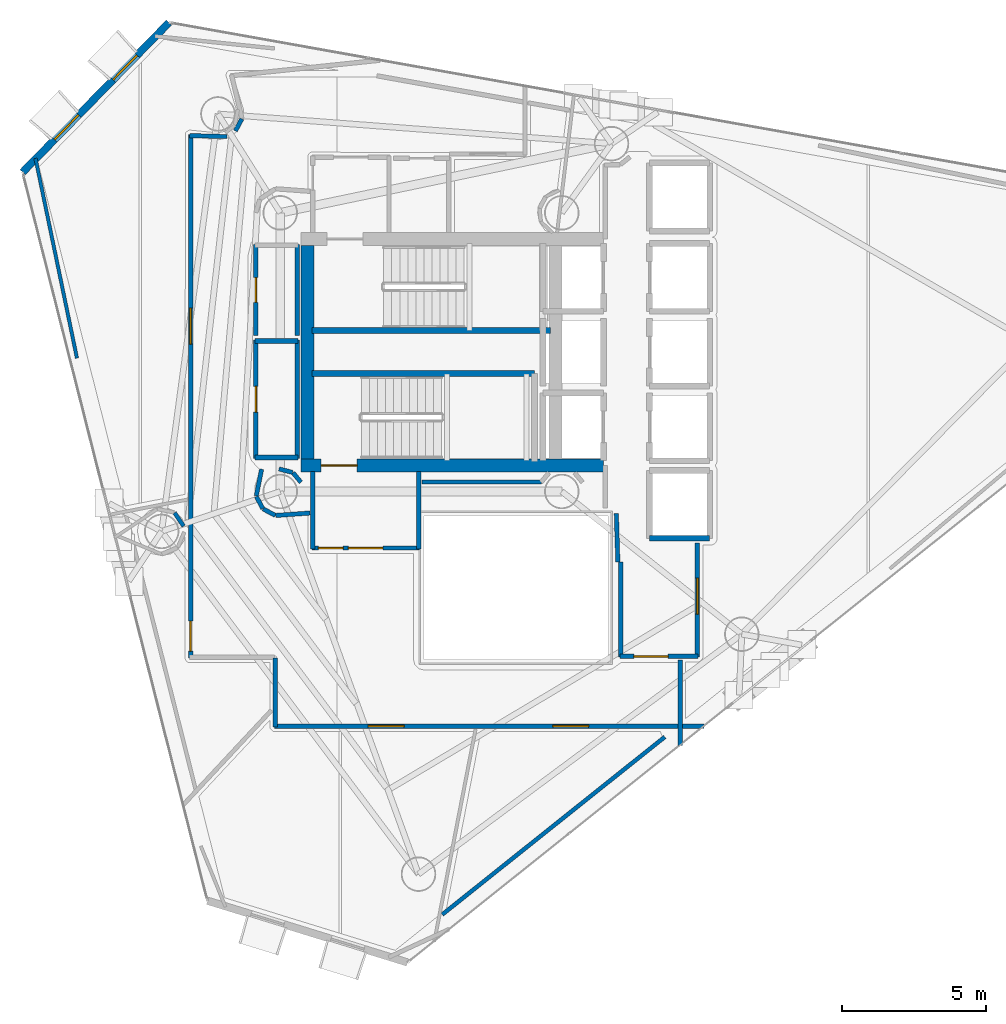
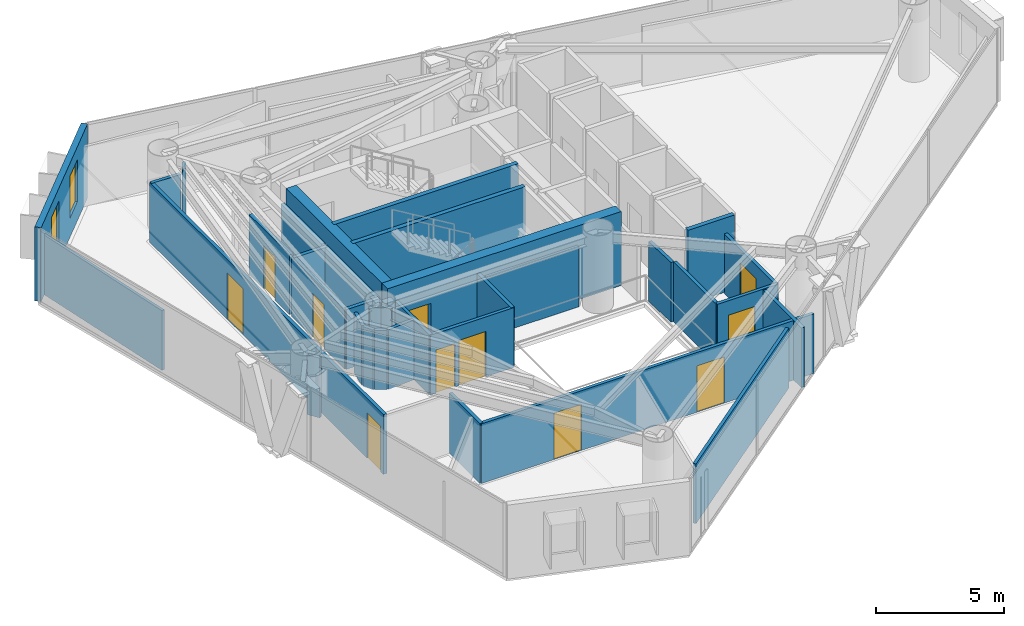
# One storey, part 17 of 22: 35 walls, 11 doors, 2 windows, 13 openings.
"""IFC4 building model written with IfcOpenShell, lengths in metres."""

from ifc_helpers import new_model, si_unit, direction, frame, frame_2d, origin, place, context, subcontext, project, spatial, rectangle, extrude, material, layer, layer_set, type_object, element, fill, save


model = new_model("IFC4")

# Units and contexts
model_context = context("Model", 3, precision=1e-05, world=origin(), true_north=direction((0.0, 1.0)))
body_context = subcontext(model_context, "Body", "Model", "MODEL_VIEW")
ifc_project = project(units=[si_unit("LENGTHUNIT", "METRE"), si_unit("AREAUNIT", "SQUARE_METRE"), si_unit("VOLUMEUNIT", "CUBIC_METRE"), si_unit("PLANEANGLEUNIT", "RADIAN"), si_unit("MASSUNIT", "GRAM", prefix="KILO")], contexts=[model_context])

# Site, building, storey
site_placement = place(None, origin())
site = spatial("IfcSite", under=ifc_project, at=site_placement, CompositionType="ELEMENT")
building_placement = place(site_placement, origin())
building = spatial("IfcBuilding", under=site, at=building_placement, Name="Qianvela Tower", CompositionType="ELEMENT")
storey_placement = place(building_placement, frame((0.0, 0.0, 207.699951171875)))
storey = spatial("IfcBuildingStorey", under=building, at=storey_placement, Name="L53", CompositionType="ELEMENT", Elevation=207.699951171875)

# Wall, openings, windows
ifc_material_1 = material(Name="Terracotta Cladding on Concrete C40", Category="masonry")
ifc_layer_1 = layer(ifc_material_1, 0.260009765625)
ifc_layer_set_1 = layer_set([ifc_layer_1], Name="Terracotta Cladding on Concrete C40")
wall_type_1 = type_object("IfcWallType", Name="TERRACOTTA-WALL-260", PredefinedType="SOLIDWALL", material=ifc_layer_set_1)
wall_1_placement = place(storey_placement, frame((24.7265625, 40.17041015625, 0.0), z_axis=(0.0, 0.0, 1.0), x_axis=(-0.699336240907, -0.714792852618, 0.0)))
wall_1 = element("IfcWall", 1, at=wall_1_placement, inside=storey, type_object=wall_type_1, Name="L53 Terracotta Chamfer Facet Wall 3", PredefinedType="SOLIDWALL", context=body_context, shape_type="SweptSolid", body=[
    extrude(rectangle(XDim=7.281494140625, YDim=0.260009765625, at=frame_2d((3.640625, 0.0))), origin(), (0.0, 0.0, 1.0), 3.52001953125),
])
opening_1_placement = place(wall_1_placement, frame((1.58447265625, 0.0, 0.89990234375)))
opening_1 = element("IfcOpeningElement", 2, at=opening_1_placement, cuts=wall_1, Name="Opening W-03", PredefinedType="OPENING", context=body_context, shape_type="SweptSolid", body=[
    extrude(rectangle(XDim=1.199951171875, YDim=2.0, at=frame_2d((0.60009765625, 1.0))), frame((0.0, 0.139892578125, 0.0), z_axis=(0.0, -1.0, 0.0), x_axis=(1.0, 0.0, 0.0)), (0.0, 0.0, 1.0), 0.280029296875),
])
opening_2_placement = place(wall_1_placement, frame((4.4970703125, 0.0, 0.89990234375)))
opening_2 = element("IfcOpeningElement", 3, at=opening_2_placement, cuts=wall_1, Name="Opening W-03", PredefinedType="OPENING", context=body_context, shape_type="SweptSolid", body=[
    extrude(rectangle(XDim=1.199951171875, YDim=2.0, at=frame_2d((0.60009765625, 1.0))), frame((0.0, 0.139892578125, 0.0), z_axis=(0.0, -1.0, 0.0), x_axis=(1.0, 0.0, 0.0)), (0.0, 0.0, 1.0), 0.280029296875),
])
ifc_material_2 = material(Name="Thermally Broken Aluminium and Low-E Glass", Category="aluminium")
window_type = type_object("IfcWindowType", Name="WIN-TC-1200x2000", PartitioningType="SINGLE_PANEL", PredefinedType="WINDOW", material=ifc_material_2)
window_1_placement = place(opening_1_placement, origin())
window_1 = element("IfcWindow", 4, at=window_1_placement, inside=storey, type_object=window_type, Name="L53 Chamfer Facet Window 3.1", OverallHeight=2.0, OverallWidth=1.199951171875, PartitioningType="SINGLE_PANEL", PredefinedType="WINDOW", context=body_context, shape_type="SweptSolid", body=[
    extrude(rectangle(XDim=1.199951171875, YDim=2.0, at=frame_2d((0.60009765625, 1.0))), frame((0.0, 0.030029296875, 0.0), z_axis=(0.0, -1.0, 0.0), x_axis=(1.0, 0.0, 0.0)), (0.0, 0.0, 1.0), 0.06005859375),
])
fill(opening_1, window_1)
window_2_placement = place(opening_2_placement, origin())
window_2 = element("IfcWindow", 5, at=window_2_placement, inside=storey, type_object=window_type, Name="L53 Chamfer Facet Window 3.2", OverallHeight=2.0, OverallWidth=1.199951171875, PartitioningType="SINGLE_PANEL", PredefinedType="WINDOW", context=body_context, shape_type="SweptSolid", body=[
    extrude(rectangle(XDim=1.199951171875, YDim=2.0, at=frame_2d((0.60009765625, 1.0))), frame((0.0, 0.030029296875, 0.0), z_axis=(0.0, -1.0, 0.0), x_axis=(1.0, 0.0, 0.0)), (0.0, 0.0, 1.0), 0.06005859375),
])
fill(opening_2, window_2)

# Wall, opening, door
ifc_material_3 = material(Name="Concrete C50", Category="concrete")
ifc_layer_2 = layer(ifc_material_3, 0.449951171875)
ifc_layer_set_2 = layer_set([ifc_layer_2], Name="Concrete C50")
wall_type_2 = type_object("IfcWallType", Name="WT-CORE-450", PredefinedType="SHEAR", material=ifc_layer_set_2)
wall_2_placement = place(storey_placement, frame((29.330078125, 24.7548828125, 0.0), z_axis=(0.0, 0.0, 1.0), x_axis=(1.0, 0.0, 0.0)))
wall_2 = element("IfcWall", 6, at=wall_2_placement, inside=storey, type_object=wall_type_2, Name="L53 South Core Shear Wall", PredefinedType="SHEAR", context=body_context, shape_type="SweptSolid", body=[
    extrude(rectangle(XDim=10.52001953125, YDim=0.449951171875, at=frame_2d((5.260009765625, 0.0))), origin(), (0.0, 0.0, 1.0), 3.52001953125),
])
opening_3_placement = place(wall_2_placement, frame((0.695068359375, 0.0, 0.0)))
opening_3 = element("IfcOpeningElement", 7, at=opening_3_placement, cuts=wall_2, Name="Opening D-ST1", PredefinedType="OPENING", context=body_context, shape_type="SweptSolid", body=[
    extrude(rectangle(XDim=1.25, YDim=2.14990234375, at=frame_2d((0.625, 1.074951171875))), frame((0.0, 0.23486328125, 0.0), z_axis=(0.0, -1.0, 0.0), x_axis=(1.0, 0.0, 0.0)), (0.0, 0.0, 1.0), 0.469970703125),
])
ifc_material_4 = material(Name="Galvanised Fire Steel Q355B", Category="steel")
door_type_1 = type_object("IfcDoorType", Name="DT-STAIR-FD90", OperationType="NOTDEFINED", PredefinedType="DOOR", material=ifc_material_4)
door_1_placement = place(opening_3_placement, origin())
door_1 = element("IfcDoor", 8, at=door_1_placement, inside=storey, type_object=door_type_1, Name="L53 Stair ST-2 Exit Door", OperationType="SINGLE_SWING_LEFT", OverallHeight=2.14990234375, OverallWidth=1.25, PredefinedType="DOOR", context=body_context, shape_type="SweptSolid", body=[
    extrude(rectangle(XDim=1.25, YDim=2.14990234375, at=frame_2d((0.625, 1.074951171875))), frame((0.0, 0.02490234375, 0.0), z_axis=(0.0, -1.0, 0.0), x_axis=(1.0, 0.0, 0.0)), (0.0, 0.0, 1.0), 0.050048828125),
])
fill(opening_3, door_1)

# Wall
wall_3_placement = place(storey_placement, frame((29.554931640625, 24.97998046875, 0.0), z_axis=(0.0, 0.0, 1.0), x_axis=(0.0, 1.0, 0.0)))
element("IfcWall", 9, at=wall_3_placement, inside=storey, type_object=wall_type_2, Name="L53 West Core Shear Wall", PredefinedType="SHEAR", context=body_context, shape_type="SweptSolid", body=[
    extrude(rectangle(XDim=7.43994140625, YDim=0.449951171875, at=frame_2d((3.719970703125, 0.0))), origin(), (0.0, 0.0, 1.0), 3.52001953125),
])

# Wall, openings, doors
ifc_material_5 = material(Name="Fire-Rated Acoustic Gypsum Board")
ifc_layer_3 = layer(ifc_material_5, 0.14990234375)
ifc_layer_set_3 = layer_set([ifc_layer_3], Name="Fire-Rated Acoustic Gypsum Board")
wall_type_3 = type_object("IfcWallType", Name="WT-CORR-150", PredefinedType="PARTITIONING", material=ifc_layer_set_3)
wall_4_placement = place(storey_placement, frame((33.449951171875, 21.881103515625, 0.0), z_axis=(0.0, 0.0, 1.0), x_axis=(-1.0, 0.0, 0.0)))
wall_4 = element("IfcWall", 10, at=wall_4_placement, inside=storey, type_object=wall_type_3, Name="L53 Partition 5", PredefinedType="PARTITIONING", context=body_context, shape_type="SweptSolid", body=[
    extrude(rectangle(XDim=3.75, YDim=0.14990234375, at=frame_2d((1.875, 0.0))), origin(), (0.0, 0.0, 1.0), 2.840087890625),
])
opening_4_placement = place(wall_4_placement, frame((1.27490234375, 0.0, 0.0)))
opening_4 = element("IfcOpeningElement", 11, at=opening_4_placement, cuts=wall_4, Name="Opening D-LB1", PredefinedType="OPENING", context=body_context, shape_type="SweptSolid", body=[
    extrude(rectangle(XDim=1.199951171875, YDim=2.14990234375, at=frame_2d((0.60009765625, 1.074951171875))), frame((0.0, 0.0849609375, 0.0), z_axis=(0.0, -1.0, 0.0), x_axis=(1.0, 0.0, 0.0)), (0.0, 0.0, 1.0), 0.169921875),
])
opening_5_placement = place(wall_4_placement, frame((2.659912109375, 0.0, 0.0)))
opening_5 = element("IfcOpeningElement", 12, at=opening_5_placement, cuts=wall_4, Name="Opening D-LB2", PredefinedType="OPENING", context=body_context, shape_type="SweptSolid", body=[
    extrude(rectangle(XDim=0.860107421875, YDim=2.050048828125, at=frame_2d((0.43017578125, 1.02490234375))), frame((0.0, 0.0849609375, 0.0), z_axis=(0.0, -1.0, 0.0), x_axis=(1.0, 0.0, 0.0)), (0.0, 0.0, 1.0), 0.169921875),
])
ifc_material_6 = material(Name="Glazed Fire-Rated Steel Frame", Category="steel")
door_type_2 = type_object("IfcDoorType", Name="DT-LOBBY-FD90", OperationType="NOTDEFINED", PredefinedType="DOOR", material=ifc_material_6)
door_2_placement = place(opening_4_placement, origin())
door_2 = element("IfcDoor", 13, at=door_2_placement, inside=storey, type_object=door_type_2, Name="L53 Door L53 Firefighting Lobby South to L53 Floor Corridor", OperationType="SINGLE_SWING_RIGHT", OverallHeight=2.14990234375, OverallWidth=1.199951171875, PredefinedType="DOOR", context=body_context, shape_type="SweptSolid", body=[
    extrude(rectangle(XDim=1.199951171875, YDim=2.14990234375, at=frame_2d((0.60009765625, 1.074951171875))), frame((0.0, 0.02490234375, 0.0), z_axis=(0.0, -1.0, 0.0), x_axis=(1.0, 0.0, 0.0)), (0.0, 0.0, 1.0), 0.050048828125),
])
fill(opening_4, door_2)
ifc_material_7 = material(Name="Insulated Steel Fire Door Q355B", Category="steel")
door_type_3 = type_object("IfcDoorType", Name="DT-LOBBY-FD90-860", OperationType="NOTDEFINED", PredefinedType="DOOR", material=ifc_material_7)
door_3_placement = place(opening_5_placement, origin())
door_3 = element("IfcDoor", 14, at=door_3_placement, inside=storey, type_object=door_type_3, Name="L53 Door L53 Firefighting Lobby South to L53 Floor Corridor", OperationType="SINGLE_SWING_LEFT", OverallHeight=2.050048828125, OverallWidth=0.860107421875, PredefinedType="DOOR", context=body_context, shape_type="SweptSolid", body=[
    extrude(rectangle(XDim=0.860107421875, YDim=2.050048828125, at=frame_2d((0.43017578125, 1.02490234375))), frame((0.0, 0.02490234375, 0.0), z_axis=(0.0, -1.0, 0.0), x_axis=(1.0, 0.0, 0.0)), (0.0, 0.0, 1.0), 0.050048828125),
])
fill(opening_5, door_3)

# Walls
for number, where, z_axis, x_axis, name in (
    (15, (29.73095703125, 21.85009765625, 0.0), (0.0, 0.0, 1.0), (0.0, 1.0, 0.0), "L53 Partition 6"),
    (16, (33.4189453125, 24.5419921875, 0.0), (0.0, 0.0, 1.0), (0.0, -1.0, 0.0), "L53 Partition 8"),
):
    element("IfcWall", number, at=place(storey_placement, frame(where, z_axis=z_axis, x_axis=x_axis)), inside=storey, type_object=wall_type_3, Name=name, PredefinedType="PARTITIONING", context=body_context, shape_type="SweptSolid", body=[
        extrude(rectangle(XDim=2.69189453125, YDim=0.14990234375, at=frame_2d((1.345947265625, 0.0))), origin(), (0.0, 0.0, 1.0), 2.840087890625),
    ])
wall_5_placement = place(storey_placement, frame((40.35107421875, 21.40087890625, 0.0), z_axis=(0.0, 0.0, 1.0), x_axis=(-0.031058045979, 0.999517582527, 0.0)))
element("IfcWall", 17, at=wall_5_placement, inside=storey, type_object=wall_type_3, Name="L53 Partition 9", PredefinedType="PARTITIONING", context=body_context, shape_type="SweptSolid", body=[
    extrude(rectangle(XDim=1.68212890625, YDim=0.14990234375, at=frame_2d((0.841064453125, 0.0))), origin(), (0.0, 0.0, 1.0), 2.840087890625),
])

# Wall, opening, door
wall_6_placement = place(storey_placement, frame((43.118896484375, 22.050048828125, 0.0), z_axis=(0.0, 0.0, 1.0), x_axis=(0.0, -1.0, 0.0)))
wall_6 = element("IfcWall", 18, at=wall_6_placement, inside=storey, type_object=wall_type_3, Name="L53 Partition 17", PredefinedType="PARTITIONING", context=body_context, shape_type="SweptSolid", body=[
    extrude(rectangle(XDim=3.969970703125, YDim=0.14990234375, at=frame_2d((1.98486328125, 0.0))), origin(), (0.0, 0.0, 1.0), 2.840087890625),
])
opening_6_placement = place(wall_6_placement, frame((1.219970703125, 0.0, 0.0)))
opening_6 = element("IfcOpeningElement", 19, at=opening_6_placement, cuts=wall_6, Name="Opening D-LG1", PredefinedType="OPENING", context=body_context, shape_type="SweptSolid", body=[
    extrude(rectangle(XDim=1.25, YDim=2.199951171875, at=frame_2d((0.625, 1.10009765625))), frame((0.0, 0.0849609375, 0.0), z_axis=(0.0, -1.0, 0.0), x_axis=(1.0, 0.0, 0.0)), (0.0, 0.0, 1.0), 0.169921875),
])
ifc_material_8 = material(Name="Anodised Aluminium Acoustic Glass Door", Category="aluminium")
door_type_4 = type_object("IfcDoorType", Name="DT-LOUNGE-1250", OperationType="NOTDEFINED", PredefinedType="DOOR", material=ifc_material_8)
door_4_placement = place(opening_6_placement, origin())
door_4 = element("IfcDoor", 20, at=door_4_placement, inside=storey, type_object=door_type_4, Name="L53 Door Student Reading Library L53-04 to L53 Lift Lobby", OperationType="SINGLE_SWING_RIGHT", OverallHeight=2.199951171875, OverallWidth=1.25, PredefinedType="DOOR", context=body_context, shape_type="SweptSolid", body=[
    extrude(rectangle(XDim=1.25, YDim=2.199951171875, at=frame_2d((0.625, 1.10009765625))), frame((0.0, 0.02490234375, 0.0), z_axis=(0.0, -1.0, 0.0), x_axis=(1.0, 0.0, 0.0)), (0.0, 0.0, 1.0), 0.050048828125),
])
fill(opening_6, door_4)

wall_7_placement = place(storey_placement, frame((43.14990234375, 18.111083984375, 0.0), z_axis=(0.0, 0.0, 1.0), x_axis=(-1.0, 0.0, 0.0)))
wall_7 = element("IfcWall", 21, at=wall_7_placement, inside=storey, type_object=wall_type_3, Name="L53 Partition 18", PredefinedType="PARTITIONING", context=body_context, shape_type="SweptSolid", body=[
    extrude(rectangle(XDim=2.72998046875, YDim=0.14990234375, at=frame_2d((1.364990234375, 0.0))), origin(), (0.0, 0.0, 1.0), 2.840087890625),
])
opening_7_placement = place(wall_7_placement, frame((1.044921875, 0.0, 0.0)))
opening_7 = element("IfcOpeningElement", 22, at=opening_7_placement, cuts=wall_7, Name="Opening D-LB1", PredefinedType="OPENING", context=body_context, shape_type="SweptSolid", body=[
    extrude(rectangle(XDim=1.199951171875, YDim=2.14990234375, at=frame_2d((0.60009765625, 1.074951171875))), frame((0.0, 0.0849609375, 0.0), z_axis=(0.0, -1.0, 0.0), x_axis=(1.0, 0.0, 0.0)), (0.0, 0.0, 1.0), 0.169921875),
])
door_5_placement = place(opening_7_placement, origin())
door_5 = element("IfcDoor", 23, at=door_5_placement, inside=storey, type_object=door_type_2, Name="L53 Door L53 Lift Lobby to L53 Floor Corridor", OperationType="SINGLE_SWING_LEFT", OverallHeight=2.14990234375, OverallWidth=1.199951171875, PredefinedType="DOOR", context=body_context, shape_type="SweptSolid", body=[
    extrude(rectangle(XDim=1.199951171875, YDim=2.14990234375, at=frame_2d((0.60009765625, 1.074951171875))), frame((0.0, 0.02490234375, 0.0), z_axis=(0.0, -1.0, 0.0), x_axis=(1.0, 0.0, 0.0)), (0.0, 0.0, 1.0), 0.050048828125),
])
fill(opening_7, door_5)

# Walls
wall_8_placement = place(storey_placement, frame((40.450927734375, 18.080078125, 0.0), z_axis=(0.0, 0.0, 1.0), x_axis=(0.0, 1.0, 0.0)))
element("IfcWall", 24, at=wall_8_placement, inside=storey, type_object=wall_type_3, Name="L53 Partition 19 seg 1", PredefinedType="PARTITIONING", context=body_context, shape_type="SweptSolid", body=[
    extrude(rectangle(XDim=3.31982421875, YDim=0.14990234375, at=frame_2d((1.659912109375, 0.0))), origin(), (0.0, 0.0, 1.0), 2.840087890625),
])
wall_9_placement = place(storey_placement, frame((29.321044921875, 24.169921875, 0.0), z_axis=(0.0, 0.0, 1.0), x_axis=(-0.638008265708, 0.770029514296, 0.0)))
element("IfcWall", 25, at=wall_9_placement, inside=storey, type_object=wall_type_3, Name="L53 Partition 36", PredefinedType="PARTITIONING", context=body_context, shape_type="SweptSolid", body=[
    extrude(rectangle(XDim=0.430908203125, YDim=0.14990234375, at=frame_2d((0.21533203125, 0.0))), origin(), (0.0, 0.0, 1.0), 2.840087890625),
])
wall_10_placement = place(storey_placement, frame((29.030029296875, 24.511962890625, 0.0), z_axis=(0.0, 0.0, 1.0), x_axis=(-0.967681003213, 0.252177469296, 0.0)))
element("IfcWall", 26, at=wall_10_placement, inside=storey, type_object=wall_type_3, Name="L53 Partition 37", PredefinedType="PARTITIONING", context=body_context, shape_type="SweptSolid", body=[
    extrude(rectangle(XDim=0.488037109375, YDim=0.14990234375, at=frame_2d((0.244140625, 0.0))), origin(), (0.0, 0.0, 1.0), 2.840087890625),
])
wall_11_placement = place(storey_placement, frame((37.70263671875, 24.180908203125, 0.0), z_axis=(0.0, 0.0, 1.0), x_axis=(-1.0, 0.0, 0.0)))
element("IfcWall", 27, at=wall_11_placement, inside=storey, type_object=wall_type_3, Name="L53 Partition 49", PredefinedType="PARTITIONING", context=body_context, shape_type="SweptSolid", body=[
    extrude(rectangle(XDim=4.172607421875, YDim=0.14990234375, at=frame_2d((2.08642578125, 0.0))), origin(), (0.0, 0.0, 1.0), 2.840087890625),
])
wall_12_placement = place(storey_placement, frame((27.950439453125, 24.626220703125, 0.0), z_axis=(0.0, 0.0, 1.0), x_axis=(-0.195125950178, -0.980778192848, 0.0)))
element("IfcWall", 28, at=wall_12_placement, inside=storey, type_object=wall_type_3, Name="L53 Partition 62", PredefinedType="PARTITIONING", context=body_context, shape_type="SweptSolid", body=[
    extrude(rectangle(XDim=0.948486328125, YDim=0.14990234375, at=frame_2d((0.47412109375, 0.0))), origin(), (0.0, 0.0, 1.0), 2.840087890625),
])
for number, where, z_axis, x_axis, name in (
    (29, (27.768310546875, 23.67529296875, 0.0), (0.0, 0.0, 1.0), (0.471865548338, -0.881670519123, 0.0), "L53 Partition 63"),
    (30, (28.005615234375, 23.242919921875, 0.0), (0.0, 0.0, 1.0), (0.881670519123, -0.471865548338, 0.0), "L53 Partition 64"),
):
    element("IfcWall", number, at=place(storey_placement, frame(where, z_axis=z_axis, x_axis=x_axis)), inside=storey, type_object=wall_type_3, Name=name, PredefinedType="PARTITIONING", context=body_context, shape_type="SweptSolid", body=[
        extrude(rectangle(XDim=0.47607421875, YDim=0.14990234375, at=frame_2d((0.238037109375, 0.0))), origin(), (0.0, 0.0, 1.0), 2.840087890625),
    ])
wall_13_placement = place(storey_placement, frame((28.4423828125, 23.014892578125, 0.0), z_axis=(0.0, 0.0, 1.0), x_axis=(0.99740683837, 0.07196942943, 0.0)))
element("IfcWall", 31, at=wall_13_placement, inside=storey, type_object=wall_type_3, Name="L53 Partition 65", PredefinedType="PARTITIONING", context=body_context, shape_type="SweptSolid", body=[
    extrude(rectangle(XDim=1.200927734375, YDim=0.14990234375, at=frame_2d((0.6005859375, 0.0))), origin(), (0.0, 0.0, 1.0), 2.840087890625),
])
wall_14_placement = place(storey_placement, frame((42.51904296875, 17.97998046875, 0.0), z_axis=(0.0, 0.0, 1.0), x_axis=(0.0, -1.0, 0.0)))
element("IfcWall", 32, at=wall_14_placement, inside=storey, type_object=wall_type_3, Name="L53 Partition 69", PredefinedType="PARTITIONING", context=body_context, shape_type="SweptSolid", body=[
    extrude(rectangle(XDim=2.97314453125, YDim=0.14990234375, at=frame_2d((1.486572265625, 0.0))), origin(), (0.0, 0.0, 1.0), 2.840087890625),
])

# Wall, openings, doors
wall_15_placement = place(storey_placement, frame((43.358642578125, 15.680908203125, 0.0), z_axis=(0.0, 0.0, 1.0), x_axis=(-1.0, 0.0, 0.0)))
wall_15 = element("IfcWall", 33, at=wall_15_placement, inside=storey, type_object=wall_type_3, Name="L53 Partition 70", PredefinedType="PARTITIONING", context=body_context, shape_type="SweptSolid", body=[
    extrude(rectangle(XDim=14.958740234375, YDim=0.14990234375, at=frame_2d((7.4794921875, 0.0))), origin(), (0.0, 0.0, 1.0), 2.840087890625),
])
opening_8_placement = place(wall_15_placement, frame((10.448486328125, 0.0, 0.0)))
opening_8 = element("IfcOpeningElement", 34, at=opening_8_placement, cuts=wall_15, Name="Opening D-LG1", PredefinedType="OPENING", context=body_context, shape_type="SweptSolid", body=[
    extrude(rectangle(XDim=1.25, YDim=2.199951171875, at=frame_2d((0.625, 1.10009765625))), frame((0.0, 0.0849609375, 0.0), z_axis=(0.0, -1.0, 0.0), x_axis=(1.0, 0.0, 0.0)), (0.0, 0.0, 1.0), 0.169921875),
])
opening_9_placement = place(wall_15_placement, frame((4.022705078125, 0.0, 0.0)))
opening_9 = element("IfcOpeningElement", 35, at=opening_9_placement, cuts=wall_15, Name="Opening D-LG1", PredefinedType="OPENING", context=body_context, shape_type="SweptSolid", body=[
    extrude(rectangle(XDim=1.25, YDim=2.199951171875, at=frame_2d((0.625, 1.10009765625))), frame((0.0, 0.0849609375, 0.0), z_axis=(0.0, -1.0, 0.0), x_axis=(1.0, 0.0, 0.0)), (0.0, 0.0, 1.0), 0.169921875),
])
door_6_placement = place(opening_8_placement, origin())
door_6 = element("IfcDoor", 36, at=door_6_placement, inside=storey, type_object=door_type_4, Name="L53 Door Quiet Desk Workspace L53-02 to L53 Floor Corridor", OperationType="SINGLE_SWING_RIGHT", OverallHeight=2.199951171875, OverallWidth=1.25, PredefinedType="DOOR", context=body_context, shape_type="SweptSolid", body=[
    extrude(rectangle(XDim=1.25, YDim=2.199951171875, at=frame_2d((0.625, 1.10009765625))), frame((0.0, 0.02490234375, 0.0), z_axis=(0.0, -1.0, 0.0), x_axis=(1.0, 0.0, 0.0)), (0.0, 0.0, 1.0), 0.050048828125),
])
fill(opening_8, door_6)
door_7_placement = place(opening_9_placement, origin())
door_7 = element("IfcDoor", 37, at=door_7_placement, inside=storey, type_object=door_type_4, Name="L53 Door Academic Cellular Office L53-03 to L53 Floor Corridor", OperationType="SINGLE_SWING_LEFT", OverallHeight=2.199951171875, OverallWidth=1.25, PredefinedType="DOOR", context=body_context, shape_type="SweptSolid", body=[
    extrude(rectangle(XDim=1.25, YDim=2.199951171875, at=frame_2d((0.625, 1.10009765625))), frame((0.0, 0.02490234375, 0.0), z_axis=(0.0, -1.0, 0.0), x_axis=(1.0, 0.0, 0.0)), (0.0, 0.0, 1.0), 0.050048828125),
])
fill(opening_9, door_7)

# Wall
wall_16_placement = place(storey_placement, frame((28.430908203125, 15.64990234375, 0.0), z_axis=(0.0, 0.0, 1.0), x_axis=(0.0, 1.0, 0.0)))
element("IfcWall", 38, at=wall_16_placement, inside=storey, type_object=wall_type_3, Name="L53 Partition 71", PredefinedType="PARTITIONING", context=body_context, shape_type="SweptSolid", body=[
    extrude(rectangle(XDim=2.400146484375, YDim=0.14990234375, at=frame_2d((1.2001953125, 0.0))), origin(), (0.0, 0.0, 1.0), 2.840087890625),
])

# Wall, openings, doors
wall_17_placement = place(storey_placement, frame((25.48095703125, 18.050048828125, 0.0), z_axis=(0.0, 0.0, 1.0), x_axis=(0.0, 1.0, 0.0)))
wall_17 = element("IfcWall", 39, at=wall_17_placement, inside=storey, type_object=wall_type_3, Name="L53 Partition 73", PredefinedType="PARTITIONING", context=body_context, shape_type="SweptSolid", body=[
    extrude(rectangle(XDim=18.218505859375, YDim=0.14990234375, at=frame_2d((9.109375, 0.0))), origin(), (0.0, 0.0, 1.0), 2.840087890625),
])
opening_10_placement = place(wall_17_placement, frame((0.239990234375, 0.0, 0.0)))
opening_10 = element("IfcOpeningElement", 40, at=opening_10_placement, cuts=wall_17, Name="Opening D-PL1", PredefinedType="OPENING", context=body_context, shape_type="SweptSolid", body=[
    extrude(rectangle(XDim=1.050048828125, YDim=2.14990234375, at=frame_2d((0.52490234375, 1.074951171875))), frame((0.0, 0.0849609375, 0.0), z_axis=(0.0, -1.0, 0.0), x_axis=(1.0, 0.0, 0.0)), (0.0, 0.0, 1.0), 0.169921875),
])
opening_11_placement = place(wall_17_placement, frame((10.930419921875, 0.0, 0.0)))
opening_11 = element("IfcOpeningElement", 41, at=opening_11_placement, cuts=wall_17, Name="Opening D-LG1", PredefinedType="OPENING", context=body_context, shape_type="SweptSolid", body=[
    extrude(rectangle(XDim=1.25, YDim=2.199951171875, at=frame_2d((0.625, 1.10009765625))), frame((0.0, 0.0849609375, 0.0), z_axis=(0.0, -1.0, 0.0), x_axis=(1.0, 0.0, 0.0)), (0.0, 0.0, 1.0), 0.169921875),
])
door_8_placement = place(opening_11_placement, origin())
door_8 = element("IfcDoor", 42, at=door_8_placement, inside=storey, type_object=door_type_4, Name="L53 Door Student Fitness Gym L53-06 to L53 Floor Corridor", OperationType="SINGLE_SWING_RIGHT", OverallHeight=2.199951171875, OverallWidth=1.25, PredefinedType="DOOR", context=body_context, shape_type="SweptSolid", body=[
    extrude(rectangle(XDim=1.25, YDim=2.199951171875, at=frame_2d((0.625, 1.10009765625))), frame((0.0, 0.02490234375, 0.0), z_axis=(0.0, -1.0, 0.0), x_axis=(1.0, 0.0, 0.0)), (0.0, 0.0, 1.0), 0.050048828125),
])
fill(opening_11, door_8)
ifc_material_9 = material(Name="Insulated Steel Fire Door Q355B", Category="steel")
door_type_5 = type_object("IfcDoorType", Name="DT-PLANT-FD90", OperationType="NOTDEFINED", PredefinedType="DOOR", material=ifc_material_9)
door_9_placement = place(opening_10_placement, origin())
door_9 = element("IfcDoor", 43, at=door_9_placement, inside=storey, type_object=door_type_5, Name="L53 Door Collaborative Co-working Office L53-01 to L53 Floor Corridor", OperationType="SINGLE_SWING_LEFT", OverallHeight=2.14990234375, OverallWidth=1.050048828125, PredefinedType="DOOR", context=body_context, shape_type="SweptSolid", body=[
    extrude(rectangle(XDim=1.050048828125, YDim=2.14990234375, at=frame_2d((0.52490234375, 1.074951171875))), frame((0.0, 0.02490234375, 0.0), z_axis=(0.0, -1.0, 0.0), x_axis=(1.0, 0.0, 0.0)), (0.0, 0.0, 1.0), 0.050048828125),
])
fill(opening_10, door_9)

# Walls
wall_18_placement = place(storey_placement, frame((25.44921875, 36.237548828125, 0.0), z_axis=(0.0, 0.0, 1.0), x_axis=(0.999651698073, -0.026390955635, 0.0)))
element("IfcWall", 44, at=wall_18_placement, inside=storey, type_object=wall_type_3, Name="L53 Partition 74", PredefinedType="PARTITIONING", context=body_context, shape_type="SweptSolid", body=[
    extrude(rectangle(XDim=1.295166015625, YDim=0.14990234375, at=frame_2d((0.6474609375, 0.0))), origin(), (0.0, 0.0, 1.0), 2.840087890625),
])
wall_19_placement = place(storey_placement, frame((27.0380859375, 36.397705078125, 0.0), z_axis=(0.0, 0.0, 1.0), x_axis=(0.471865548338, 0.881670519123, 0.0)))
element("IfcWall", 45, at=wall_19_placement, inside=storey, type_object=wall_type_3, Name="L53 Partition 75", PredefinedType="PARTITIONING", context=body_context, shape_type="SweptSolid", body=[
    extrude(rectangle(XDim=0.47607421875, YDim=0.14990234375, at=frame_2d((0.238037109375, 0.0))), origin(), (0.0, 0.0, 1.0), 2.840087890625),
])
ifc_material_10 = material(Name="Insulated Gypsum Stud Partition")
ifc_layer_4 = layer(ifc_material_10, 0.1201171875)
ifc_layer_set_4 = layer_set([ifc_layer_4], Name="Insulated Gypsum Stud Partition")
wall_type_4 = type_object("IfcWallType", Name="WT-PART-120", PredefinedType="PARTITIONING", material=ifc_layer_set_4)
wall_20_placement = place(storey_placement, frame((21.52490234375, 28.4912109375, 0.0), z_axis=(0.0, 0.0, 1.0), x_axis=(-0.20329541211, 0.979117447202, 0.0)))
element("IfcWall", 46, at=wall_20_placement, inside=storey, type_object=wall_type_4, Name="L53 Partition 136 seg 2", PredefinedType="PARTITIONING", context=body_context, shape_type="SweptSolid", body=[
    extrude(rectangle(XDim=7.103515625, YDim=0.1201171875, at=frame_2d((3.5517578125, 0.0))), origin(), (0.0, 0.0, 1.0), 2.840087890625),
])

# Wall, opening, door
ifc_material_11 = material(Name="Sanitary Service Chase Partition")
ifc_layer_5 = layer(ifc_material_11, 0.1650390625)
ifc_layer_set_5 = layer_set([ifc_layer_5], Name="Sanitary Service Chase Partition")
wall_type_5 = type_object("IfcWallType", Name="WT-PLUMB-165", PredefinedType="PLUMBINGWALL", material=ifc_layer_set_5)
wall_21_placement = place(storey_placement, frame((27.7509765625, 25.0, 0.0), z_axis=(0.0, 0.0, 1.0), x_axis=(0.0, 1.0, 0.0)))
wall_21 = element("IfcWall", 47, at=wall_21_placement, inside=storey, type_object=wall_type_5, Name="L53 Partition 24", PredefinedType="PLUMBINGWALL", context=body_context, shape_type="SweptSolid", body=[
    extrude(rectangle(XDim=4.1201171875, YDim=0.1650390625, at=frame_2d((2.06005859375, 0.0))), origin(), (0.0, 0.0, 1.0), 2.840087890625),
])
opening_12_placement = place(wall_21_placement, frame((1.610107421875, 0.0, 0.0)))
opening_12 = element("IfcOpeningElement", 48, at=opening_12_placement, cuts=wall_21, Name="Opening D-KT1", PredefinedType="OPENING", context=body_context, shape_type="SweptSolid", body=[
    extrude(rectangle(XDim=0.89990234375, YDim=2.10009765625, at=frame_2d((0.449951171875, 1.050048828125))), frame((0.0, 0.092529296875, 0.0), z_axis=(0.0, -1.0, 0.0), x_axis=(1.0, 0.0, 0.0)), (0.0, 0.0, 1.0), 0.18505859375),
])
ifc_material_12 = material(Name="Glazed Timber Kitchen Door", Category="wood")
door_type_6 = type_object("IfcDoorType", Name="DT-KITCH-900", OperationType="NOTDEFINED", PredefinedType="DOOR", material=ifc_material_12)
door_10_placement = place(opening_12_placement, origin())
door_10 = element("IfcDoor", 49, at=door_10_placement, inside=storey, type_object=door_type_6, Name="L53 Door L53 Core Tea Pantry West to L53 Floor Corridor", OperationType="SINGLE_SWING_LEFT", OverallHeight=2.10009765625, OverallWidth=0.89990234375, PredefinedType="DOOR", context=body_context, shape_type="SweptSolid", body=[
    extrude(rectangle(XDim=0.89990234375, YDim=2.10009765625, at=frame_2d((0.449951171875, 1.050048828125))), frame((0.0, 0.02490234375, 0.0), z_axis=(0.0, -1.0, 0.0), x_axis=(1.0, 0.0, 0.0)), (0.0, 0.0, 1.0), 0.050048828125),
])
fill(opening_12, door_10)

# Walls
wall_22_placement = place(storey_placement, frame((27.719970703125, 29.089111328125, 0.0), z_axis=(0.0, 0.0, 1.0), x_axis=(1.0, 0.0, 0.0)))
element("IfcWall", 50, at=wall_22_placement, inside=storey, type_object=wall_type_5, Name="L53 Partition 25", PredefinedType="PLUMBINGWALL", context=body_context, shape_type="SweptSolid", body=[
    extrude(rectangle(XDim=1.5, YDim=0.1650390625, at=frame_2d((0.75, 0.0))), origin(), (0.0, 0.0, 1.0), 2.840087890625),
])
wall_23_placement = place(storey_placement, frame((29.18896484375, 29.1201171875, 0.0), z_axis=(0.0, 0.0, 1.0), x_axis=(0.0, -1.0, 0.0)))
element("IfcWall", 51, at=wall_23_placement, inside=storey, type_object=wall_type_5, Name="L53 Partition 26", PredefinedType="PLUMBINGWALL", context=body_context, shape_type="SweptSolid", body=[
    extrude(rectangle(XDim=4.1201171875, YDim=0.1650390625, at=frame_2d((2.06005859375, 0.0))), origin(), (0.0, 0.0, 1.0), 2.840087890625),
])
wall_24_placement = place(storey_placement, frame((29.219970703125, 25.031005859375, 0.0), z_axis=(0.0, 0.0, 1.0), x_axis=(-1.0, 0.0, 0.0)))
element("IfcWall", 52, at=wall_24_placement, inside=storey, type_object=wall_type_5, Name="L53 Partition 27", PredefinedType="PLUMBINGWALL", context=body_context, shape_type="SweptSolid", body=[
    extrude(rectangle(XDim=1.5, YDim=0.1650390625, at=frame_2d((0.75, 0.0))), origin(), (0.0, 0.0, 1.0), 2.840087890625),
])

# Wall, opening, door
wall_25_placement = place(storey_placement, frame((27.7509765625, 29.280029296875, 0.0), z_axis=(0.0, 0.0, 1.0), x_axis=(0.0, 1.0, 0.0)))
wall_25 = element("IfcWall", 53, at=wall_25_placement, inside=storey, type_object=wall_type_5, Name="L53 Partition 28", PredefinedType="PLUMBINGWALL", context=body_context, shape_type="SweptSolid", body=[
    extrude(rectangle(XDim=3.169921875, YDim=0.1650390625, at=frame_2d((1.5849609375, 0.0))), origin(), (0.0, 0.0, 1.0), 2.840087890625),
])
opening_13_placement = place(wall_25_placement, frame((1.155029296875, 0.0, 0.0)))
opening_13 = element("IfcOpeningElement", 54, at=opening_13_placement, cuts=wall_25, Name="Opening D-WC1", PredefinedType="OPENING", context=body_context, shape_type="SweptSolid", body=[
    extrude(rectangle(XDim=0.860107421875, YDim=2.050048828125, at=frame_2d((0.43017578125, 1.02490234375))), frame((0.0, 0.092529296875, 0.0), z_axis=(0.0, -1.0, 0.0), x_axis=(1.0, 0.0, 0.0)), (0.0, 0.0, 1.0), 0.18505859375),
])
ifc_material_13 = material(Name="Moisture-Sealed Acoustic Timber Door", Category="wood")
door_type_7 = type_object("IfcDoorType", Name="DT-WC-860", OperationType="NOTDEFINED", PredefinedType="DOOR", material=ifc_material_13)
door_11_placement = place(opening_13_placement, origin())
door_11 = element("IfcDoor", 55, at=door_11_placement, inside=storey, type_object=door_type_7, Name="L53 Door L53 Accessible WC to L53 Floor Corridor", OperationType="SINGLE_SWING_RIGHT", OverallHeight=2.050048828125, OverallWidth=0.860107421875, PredefinedType="DOOR", context=body_context, shape_type="SweptSolid", body=[
    extrude(rectangle(XDim=0.860107421875, YDim=2.050048828125, at=frame_2d((0.43017578125, 1.02490234375))), frame((0.0, 0.02490234375, 0.0), z_axis=(0.0, -1.0, 0.0), x_axis=(1.0, 0.0, 0.0)), (0.0, 0.0, 1.0), 0.050048828125),
])
fill(opening_13, door_11)

# Walls
wall_26_placement = place(storey_placement, frame((29.18896484375, 32.449951171875, 0.0), z_axis=(0.0, 0.0, 1.0), x_axis=(0.0, -1.0, 0.0)))
element("IfcWall", 56, at=wall_26_placement, inside=storey, type_object=wall_type_5, Name="L53 Partition 30", PredefinedType="PLUMBINGWALL", context=body_context, shape_type="SweptSolid", body=[
    extrude(rectangle(XDim=3.169921875, YDim=0.1650390625, at=frame_2d((1.5849609375, 0.0))), origin(), (0.0, 0.0, 1.0), 2.840087890625),
])
ifc_material_14 = material(Name="Acoustic Double Gypsum Stud Partition")
ifc_layer_6 = layer(ifc_material_14, 0.139892578125)
ifc_layer_set_6 = layer_set([ifc_layer_6], Name="Acoustic Double Gypsum Stud Partition")
wall_type_6 = type_object("IfcWallType", Name="WT-ROOM-140", PredefinedType="PARTITIONING", material=ifc_layer_set_6)
wall_27_placement = place(storey_placement, frame((25.237548828125, 22.6435546875, 0.0), z_axis=(0.0, 0.0, 1.0), x_axis=(-0.563363697458, 0.826209019792, 0.0)))
element("IfcWall", 57, at=wall_27_placement, inside=storey, type_object=wall_type_6, Name="L53 Partition 81", PredefinedType="PARTITIONING", context=body_context, shape_type="SweptSolid", body=[
    extrude(rectangle(XDim=0.563720703125, YDim=0.139892578125, at=frame_2d((0.28173828125, 0.0))), origin(), (0.0, 0.0, 1.0), 2.840087890625),
])
wall_28_placement = place(storey_placement, frame((41.98486328125, 15.305419921875, 0.0), z_axis=(0.0, 0.0, 1.0), x_axis=(-0.781601250274, -0.623778394601, 0.0)))
element("IfcWall", 58, at=wall_28_placement, inside=storey, type_object=wall_type_6, Name="L53 Partition 96", PredefinedType="PARTITIONING", context=body_context, shape_type="SweptSolid", body=[
    extrude(rectangle(XDim=9.9111328125, YDim=0.139892578125, at=frame_2d((4.95556640625, 0.0))), origin(), (0.0, 0.0, 1.0), 2.840087890625),
])
ifc_material_15 = material(Name="Concrete C50", Category="concrete")
ifc_layer_7 = layer(ifc_material_15, 0.199951171875)
ifc_layer_set_7 = layer_set([ifc_layer_7], Name="Concrete C50")
wall_type_7 = type_object("IfcWallType", Name="WT-SHAFT-200", PredefinedType="SOLIDWALL", material=ifc_layer_set_7)
wall_29_placement = place(storey_placement, frame((29.699951171875, 29.449951171875, 0.0), z_axis=(0.0, 0.0, 1.0), x_axis=(1.0, 0.0, 0.0)))
element("IfcWall", 59, at=wall_29_placement, inside=storey, type_object=wall_type_7, Name="L53 Stair ST-1 South Wall", PredefinedType="SOLIDWALL", context=body_context, shape_type="SweptSolid", body=[
    extrude(rectangle(XDim=8.300048828125, YDim=0.199951171875, at=frame_2d((4.14990234375, 0.0))), origin(), (0.0, 0.0, 1.0), 3.52001953125),
])
wall_30_placement = place(storey_placement, frame((29.699951171875, 27.9599609375, 0.0), z_axis=(0.0, 0.0, 1.0), x_axis=(1.0, 0.0, 0.0)))
element("IfcWall", 60, at=wall_30_placement, inside=storey, type_object=wall_type_7, Name="L53 Stair ST-2 North Wall", PredefinedType="SOLIDWALL", context=body_context, shape_type="SweptSolid", body=[
    extrude(rectangle(XDim=7.75, YDim=0.199951171875, at=frame_2d((3.875, 0.0))), origin(), (0.0, 0.0, 1.0), 3.52001953125),
])
wall_31_placement = place(storey_placement, frame((41.449951171875, 22.219970703125, 0.0), z_axis=(0.0, 0.0, 1.0), x_axis=(1.0, 0.0, 0.0)))
element("IfcWall", 61, at=wall_31_placement, inside=storey, type_object=wall_type_7, Name="L53 Lift PL-H2 S Shaft Wall", PredefinedType="SOLIDWALL", context=body_context, shape_type="SweptSolid", body=[
    extrude(rectangle(XDim=2.10009765625, YDim=0.199951171875, at=frame_2d((1.050048828125, 0.0))), origin(), (0.0, 0.0, 1.0), 3.52001953125),
])

save(model, "model.ifc")
